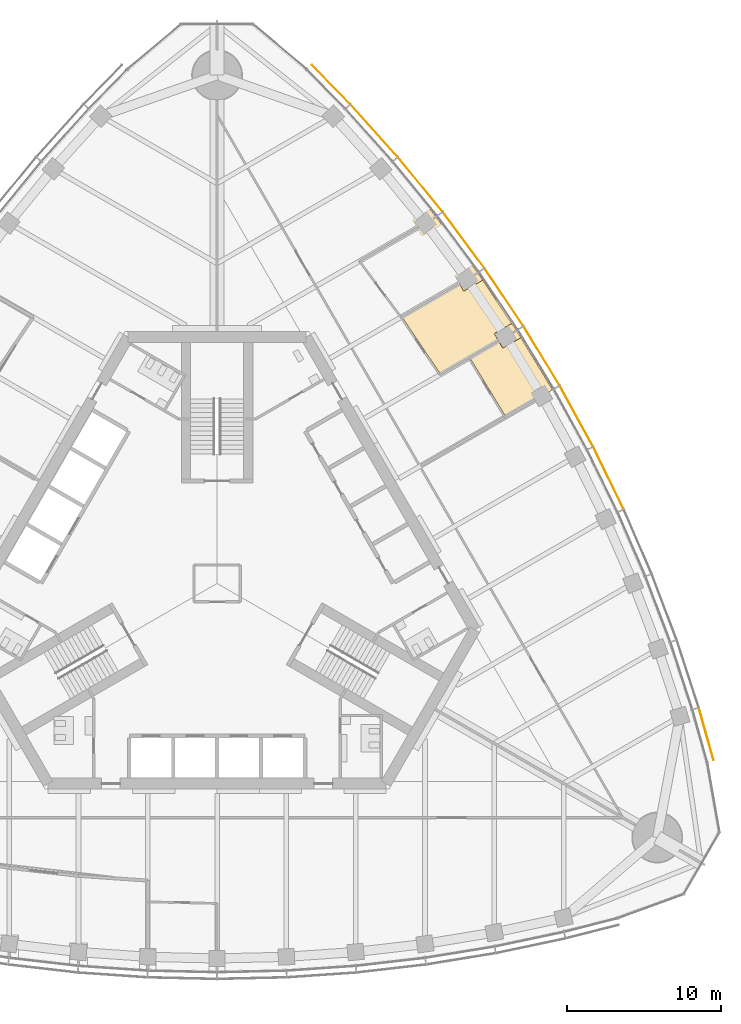
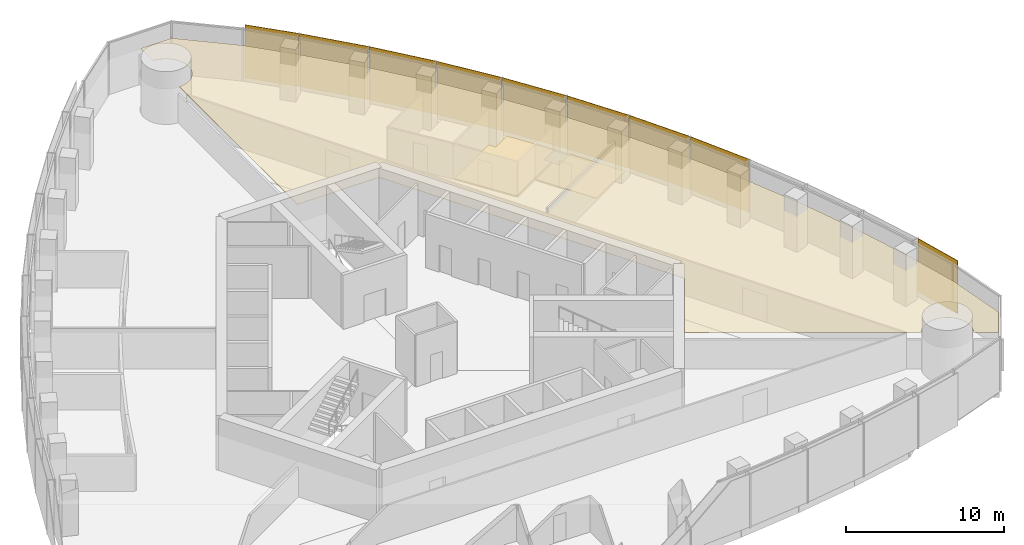
# One storey, part 17 of 19: 9 shading devices, 3 coverings.
"""IFC4 building model written with IfcOpenShell, lengths in metres."""

from ifc_helpers import new_model, si_unit, direction, frame, origin, origin_2d, place, context, subcontext, project, spatial, polyline, rectangle, outline, extrude, material, layer, layer_set, type_object, element, save


model = new_model("IFC4")

# Units and contexts
model_context = context("Model", 3, precision=1e-05, world=origin(), true_north=direction((0.0, 1.0)))
body_context = subcontext(model_context, "Body", "Model", "MODEL_VIEW")
ifc_project = project(units=[si_unit("LENGTHUNIT", "METRE"), si_unit("AREAUNIT", "SQUARE_METRE"), si_unit("VOLUMEUNIT", "CUBIC_METRE"), si_unit("PLANEANGLEUNIT", "RADIAN"), si_unit("MASSUNIT", "GRAM", prefix="KILO")], contexts=[model_context])

# Site, building, storey
site_placement = place(None, origin())
site = spatial("IfcSite", under=ifc_project, at=site_placement, CompositionType="ELEMENT")
building_placement = place(site_placement, origin())
building = spatial("IfcBuilding", under=site, at=building_placement, Name="Trefoil Bronze Tower", CompositionType="ELEMENT")
storey_placement = place(building_placement, frame((0.0, 0.0, 227.5)))
storey = spatial("IfcBuildingStorey", under=building, at=storey_placement, Name="L52", CompositionType="ELEMENT", Elevation=227.5)

# Shading devices
ifc_material_1 = material(Name="Perforated bronze sheet", Category="bronze")
ifc_layer_1 = layer(ifc_material_1, 0.0400390625)
ifc_layer_set_1 = layer_set([ifc_layer_1], Name="Bronze solar screen panel")
shading_device_type = type_object("IfcShadingDeviceType", Name="Bronze solar screen panel", PredefinedType="SHUTTER", material=ifc_layer_set_1)
shading_device_1_placement = place(storey_placement, frame((31.764892578125, -9.7890625, 0.050048828125), z_axis=(0.0, 0.0, 1.0), x_axis=(-0.270282222968, 0.962781138134, 0.0)))
element("IfcShadingDevice", 1, at=shading_device_1_placement, inside=storey, type_object=shading_device_type, Name="Solar screen CW-A L52 F2 bay 1", PredefinedType="SHUTTER", context=body_context, shape_type="SweptSolid", body=[
    extrude(rectangle(XDim=3.53369140625, YDim=0.0400390625, at=origin_2d()), origin(), (0.0, 0.0, 1.0), 4.10009765625),
])
shading_device_2_placement = place(storey_placement, frame((25.4169921875, 6.83740234375, 0.050048828125), z_axis=(0.0, 0.0, 1.0), x_axis=(-0.439129033334, 0.898424004623, 0.0)))
element("IfcShadingDevice", 2, at=shading_device_2_placement, inside=storey, type_object=shading_device_type, Name="Solar screen CW-A L52 F2 bay 5", PredefinedType="SHUTTER", context=body_context, shape_type="SweptSolid", body=[
    extrude(rectangle(XDim=4.480712890625, YDim=0.0400390625, at=origin_2d()), origin(), (0.0, 0.0, 1.0), 4.10009765625),
])
for number, where, z_axis, x_axis, name in (
    (3, (23.3349609375, 10.860107421875, 0.050048828125), (0.0, 0.0, 1.0), (-0.479974003504, 0.877282711536, 0.0), "Solar screen CW-A L52 F2 bay 6"),
    (4, (21.07275390625, 14.77880859375, 0.050048828125), (0.0, 0.0, 1.0), (-0.519762112739, 0.854311035959, 0.0), "Solar screen CW-A L52 F2 bay 7"),
):
    element("IfcShadingDevice", number, at=place(storey_placement, frame(where, z_axis=z_axis, x_axis=x_axis)), inside=storey, type_object=shading_device_type, Name=name, PredefinedType="SHUTTER", context=body_context, shape_type="SweptSolid", body=[
        extrude(rectangle(XDim=4.47119140625, YDim=0.0400390625, at=origin_2d()), origin(), (0.0, 0.0, 1.0), 4.10009765625),
    ])
shading_device_3_placement = place(storey_placement, frame((18.6298828125, 18.59326171875, 0.050048828125), z_axis=(0.0, 0.0, 1.0), x_axis=(-0.558493494706, 0.829508900718, 0.0)))
element("IfcShadingDevice", 5, at=shading_device_3_placement, inside=storey, type_object=shading_device_type, Name="Solar screen CW-A L52 F2 bay 8", PredefinedType="SHUTTER", context=body_context, shape_type="SweptSolid", body=[
    extrude(rectangle(XDim=4.480712890625, YDim=0.0400390625, at=origin_2d()), origin(), (0.0, 0.0, 1.0), 4.10009765625),
])
shading_device_4_placement = place(storey_placement, frame((16.005615234375, 22.302734375, 0.050048828125), z_axis=(0.0, 0.0, 1.0), x_axis=(-0.596161525977, 0.802864518425, 0.0)))
element("IfcShadingDevice", 6, at=shading_device_4_placement, inside=storey, type_object=shading_device_type, Name="Solar screen CW-A L52 F2 bay 9", PredefinedType="SHUTTER", context=body_context, shape_type="SweptSolid", body=[
    extrude(rectangle(XDim=4.5, YDim=0.0400390625, at=origin_2d()), origin(), (0.0, 0.0, 1.0), 4.10009765625),
])
shading_device_5_placement = place(storey_placement, frame((13.197509765625, 25.90625, 0.050048828125), z_axis=(0.0, 0.0, 1.0), x_axis=(-0.63275261301, 0.774354008661, 0.0)))
element("IfcShadingDevice", 7, at=shading_device_5_placement, inside=storey, type_object=shading_device_type, Name="Solar screen CW-A L52 F2 bay 10", PredefinedType="SHUTTER", context=body_context, shape_type="SweptSolid", body=[
    extrude(rectangle(XDim=4.529296875, YDim=0.0400390625, at=origin_2d()), origin(), (0.0, 0.0, 1.0), 4.10009765625),
])
shading_device_6_placement = place(storey_placement, frame((10.20166015625, 29.401611328125, 0.050048828125), z_axis=(0.0, 0.0, 1.0), x_axis=(-0.668245744076, 0.743940606181, 0.0)))
element("IfcShadingDevice", 8, at=shading_device_6_placement, inside=storey, type_object=shading_device_type, Name="Solar screen CW-A L52 F2 bay 11", PredefinedType="SHUTTER", context=body_context, shape_type="SweptSolid", body=[
    extrude(rectangle(XDim=4.5693359375, YDim=0.0400390625, at=origin_2d()), origin(), (0.0, 0.0, 1.0), 4.10009765625),
])
shading_device_7_placement = place(storey_placement, frame((7.40478515625, 32.40380859375, 0.050048828125), z_axis=(0.0, 0.0, 1.0), x_axis=(-0.698651812425, 0.715461840349, 0.0)))
element("IfcShadingDevice", 9, at=shading_device_7_placement, inside=storey, type_object=shading_device_type, Name="Solar screen CW-A L52 F2 bay 12", PredefinedType="SHUTTER", context=body_context, shape_type="SweptSolid", body=[
    extrude(rectangle(XDim=3.53369140625, YDim=0.0400390625, at=origin_2d()), origin(), (0.0, 0.0, 1.0), 4.10009765625),
])

# Coverings
ifc_material_2 = material(Name="Acoustic ceiling panels", Category="mineral fibre")
ifc_layer_2 = layer(ifc_material_2, 0.02001953125)
ifc_layer_set_2 = layer_set([ifc_layer_2], Name="Office ceiling 20")
covering_type_1 = type_object("IfcCoveringType", Name="Office ceiling 20", PredefinedType="CEILING", material=ifc_layer_set_2)
covering_1_placement = place(storey_placement, frame((0.0, 0.0, 2.89990234375)))
element("IfcCovering", 10, at=covering_1_placement, inside=storey, type_object=covering_type_1, Name="Ceiling L52 Open-plan office F2", PredefinedType="CEILING", context=body_context, shape_type="SweptSolid", body=[
    extrude(outline(polyline([(8.26318359375, 30.751708984375), (11.3369140625, 27.329833984375), (14.2216796875, 23.79931640625), (16.92236328125, 20.162353515625), (19.44140625, 16.420654296875), (21.781005859375, 12.5751953125), (23.94140625, 8.62646484375), (25.92236328125, 4.573974609375), (27.7216796875, 0.416748046875), (29.3369140625, -3.846923828125), (30.76318359375, -8.219482421875), (31.7265625, -11.650634765625), (32.518310546875, -16.1416015625), (31.385009765625, -18.1044921875), (30.013916015625, -17.3134765625), (30.033935546875, -17.27783203125), (30.0703125, -17.20556640625), (30.103271484375, -17.13134765625), (30.13232421875, -17.055908203125), (30.15771484375, -16.97900390625), (30.179443359375, -16.90087890625), (30.197021484375, -16.822021484375), (30.2109375, -16.7421875), (30.220947265625, -16.66162109375), (30.226806640625, -16.5810546875), (30.228759765625, -16.5), (30.226806640625, -16.4189453125), (30.220947265625, -16.33837890625), (30.2109375, -16.2578125), (30.197021484375, -16.177978515625), (30.179443359375, -16.09912109375), (30.15771484375, -16.02099609375), (30.13232421875, -15.944091796875), (30.103271484375, -15.86865234375), (30.0703125, -15.79443359375), (30.033935546875, -15.72216796875), (29.994140625, -15.651611328125), (29.95068359375, -15.583251953125), (29.904052734375, -15.51708984375), (29.854248046875, -15.453369140625), (29.801513671875, -15.391845703125), (29.74560546875, -15.333251953125), (29.68701171875, -15.27734375), (29.62548828125, -15.224609375), (29.561767578125, -15.1748046875), (29.49560546875, -15.128173828125), (29.427001953125, -15.084716796875), (29.356689453125, -15.044921875), (29.2841796875, -15.00830078125), (29.210205078125, -14.9755859375), (29.134765625, -14.946533203125), (29.057861328125, -14.9208984375), (28.979736328125, -14.8994140625), (28.900634765625, -14.881591796875), (28.82080078125, -14.867919921875), (28.740478515625, -14.85791015625), (28.659912109375, -14.85205078125), (28.578857421875, -14.85009765625), (28.497802734375, -14.85205078125), (28.4169921875, -14.85791015625), (28.336669921875, -14.867919921875), (28.2568359375, -14.881591796875), (28.177978515625, -14.8994140625), (28.099853515625, -14.9208984375), (28.02294921875, -14.946533203125), (27.947509765625, -14.9755859375), (27.873291015625, -15.00830078125), (27.801025390625, -15.044921875), (27.730712890625, -15.084716796875), (27.662109375, -15.128173828125), (27.595947265625, -15.1748046875), (27.531982421875, -15.224609375), (27.470703125, -15.27734375), (27.412109375, -15.333251953125), (27.356201171875, -15.391845703125), (27.303466796875, -15.453369140625), (27.25341796875, -15.51708984375), (27.206787109375, -15.583251953125), (27.156005859375, -15.6650390625), (14.16259765625, -8.169677734375), (17.147216796875, -3.0), (5.9755859375, 16.35009765625), (0.006103515625, 16.35009765625), (0.01171875, 31.350341796875), (0.0810546875, 31.35205078125), (0.16162109375, 31.35791015625), (0.2421875, 31.367919921875), (0.322021484375, 31.381591796875), (0.40087890625, 31.3994140625), (0.47900390625, 31.4208984375), (0.555908203125, 31.446533203125), (0.63134765625, 31.4755859375), (0.70556640625, 31.50830078125), (0.77783203125, 31.544921875), (0.848388671875, 31.584716796875), (0.916748046875, 31.628173828125), (0.98291015625, 31.6748046875), (1.046630859375, 31.724609375), (1.108154296875, 31.77734375), (1.166748046875, 31.833251953125), (1.22265625, 31.891845703125), (1.275390625, 31.953369140625), (1.3251953125, 32.01708984375), (1.371826171875, 32.083251953125), (1.415283203125, 32.151611328125), (1.455078125, 32.22216796875), (1.49169921875, 32.29443359375), (1.5244140625, 32.36865234375), (1.553466796875, 32.444091796875), (1.5791015625, 32.52099609375), (1.6005859375, 32.59912109375), (1.618408203125, 32.677978515625), (1.632080078125, 32.7578125), (1.64208984375, 32.83837890625), (1.64794921875, 32.9189453125), (1.64990234375, 33.0), (1.64794921875, 33.0810546875), (1.64208984375, 33.16162109375), (1.632080078125, 33.2421875), (1.618408203125, 33.322021484375), (1.6005859375, 33.40087890625), (1.5791015625, 33.47900390625), (1.553466796875, 33.555908203125), (1.5244140625, 33.63134765625), (1.49169921875, 33.70556640625), (1.455078125, 33.77783203125), (1.415283203125, 33.848388671875), (1.371826171875, 33.916748046875), (1.3251953125, 33.98291015625), (1.275390625, 34.046630859375), (1.22265625, 34.108154296875), (1.166748046875, 34.166748046875), (1.108154296875, 34.22265625), (1.046630859375, 34.275390625), (0.98291015625, 34.3251953125), (0.916748046875, 34.371826171875), (0.848388671875, 34.415283203125), (0.77783203125, 34.455078125), (0.70556640625, 34.49169921875), (0.63134765625, 34.5244140625), (0.555908203125, 34.553466796875), (0.47900390625, 34.5791015625), (0.40087890625, 34.6005859375), (0.322021484375, 34.618408203125), (0.2421875, 34.632080078125), (0.16162109375, 34.64208984375), (0.0810546875, 34.64794921875), (0.012939453125, 34.649658203125), (0.013671875, 36.232666015625), (2.280029296875, 36.232666015625), (5.7734375, 33.30126953125), (8.26318359375, 30.751708984375)])), origin(), (0.0, 0.0, 1.0), 0.02001953125),
])
ifc_material_3 = material(Name="Raised access floor panels", Category="steel")
ifc_layer_3 = layer(ifc_material_3, 0.050048828125)
ifc_layer_set_3 = layer_set([ifc_layer_3], Name="Raised access floor 150")
covering_type_2 = type_object("IfcCoveringType", Name="Raised access floor 150", PredefinedType="FLOORING", material=ifc_layer_set_3)
covering_2_placement = place(storey_placement, frame((0.0, 0.0, 0.10009765625)))
element("IfcCovering", 11, at=covering_2_placement, inside=storey, type_object=covering_type_2, Name="Raised floor L52 Meeting room F2", PredefinedType="FLOORING", context=body_context, shape_type="SweptSolid", body=[
    extrude(outline(polyline([(19.1337890625, 16.877685546875), (17.997314453125, 16.221435546875), (18.27197265625, 15.74560546875), (18.266845703125, 15.742431640625), (18.23681640625, 15.79443359375), (14.48046875, 13.625732421875), (12.0283203125, 17.267578125), (15.760986328125, 19.422607421875), (16.01708984375, 18.979248046875), (17.24267578125, 19.686767578125), (19.1337890625, 16.877685546875)])), origin(), (0.0, 0.0, 1.0), 0.0498046875),
])
covering_3_placement = place(storey_placement, frame((0.0, 0.0, 0.10009765625)))
element("IfcCovering", 12, at=covering_3_placement, inside=storey, type_object=covering_type_2, Name="Raised floor L52 Store F2", PredefinedType="FLOORING", context=body_context, shape_type="SweptSolid", body=[
    extrude(outline(polyline([(20.607666015625, 11.897705078125), (20.570068359375, 11.962890625), (18.706787109375, 10.886962890625), (16.437255859375, 14.616943359375), (18.296875, 15.690673828125), (18.266845703125, 15.742431640625), (18.27197265625, 15.74560546875), (18.546875, 15.26953125), (19.727294921875, 15.951171875), (21.781005859375, 12.5751953125), (20.607666015625, 11.897705078125)])), origin(), (0.0, 0.0, 1.0), 0.0498046875),
])

save(model, "model.ifc")
